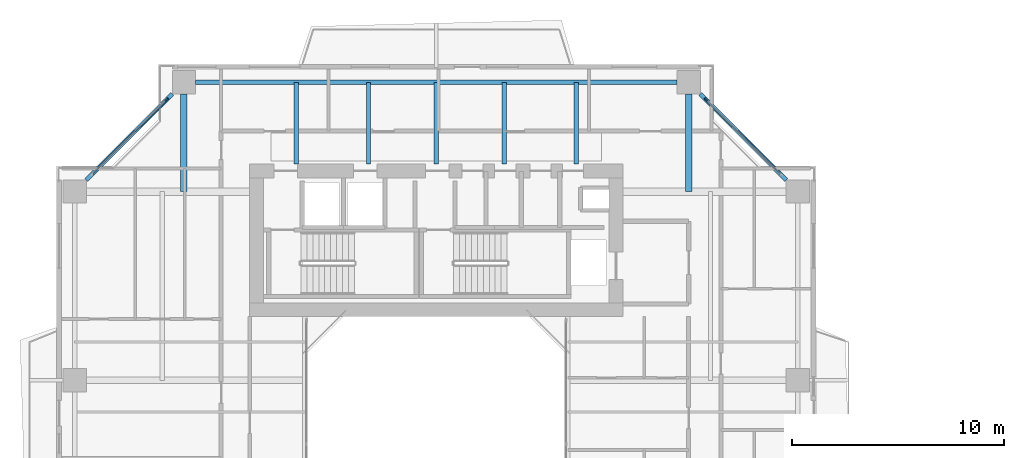
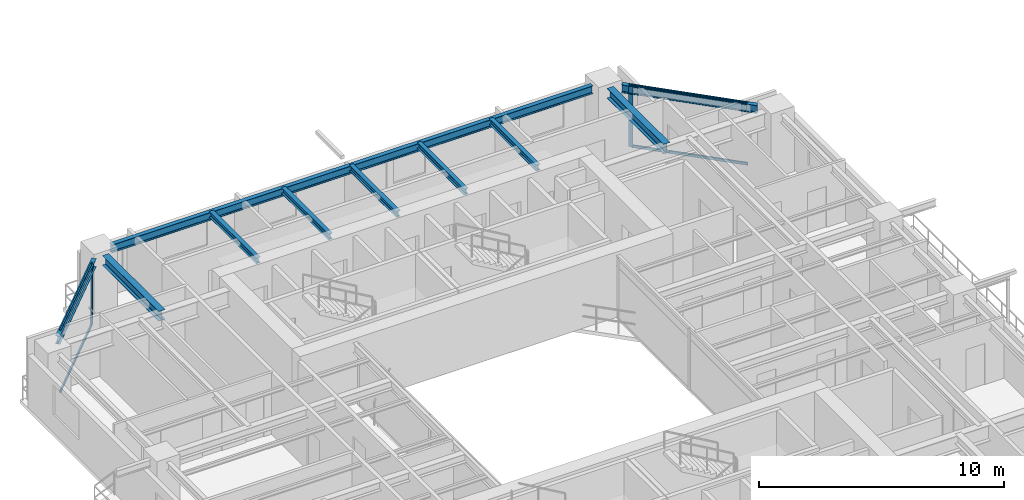
# One storey, part 14 of 28: 10 beams, 6 members, 2 elements without a shape of their own.
"""IFC4 building model written with IfcOpenShell, lengths in metres."""

from ifc_helpers import new_model, si_unit, direction, frame, origin, origin_2d, place, context, subcontext, project, spatial, rectangle, i_section, extrude, source, transform, mapped, material, layer, layer_set, material_profile, profile_set, type_object, element, aggregate, save


model = new_model("IFC4")

# Units and contexts
model_context = context("Model", 3, precision=1e-05, world=origin(), true_north=direction((0.0, 1.0)))
body_context = subcontext(model_context, "Body", "Model", "MODEL_VIEW")
ifc_project = project(units=[si_unit("LENGTHUNIT", "METRE"), si_unit("AREAUNIT", "SQUARE_METRE"), si_unit("VOLUMEUNIT", "CUBIC_METRE"), si_unit("PLANEANGLEUNIT", "RADIAN"), si_unit("MASSUNIT", "GRAM", prefix="KILO"), si_unit("THERMODYNAMICTEMPERATUREUNIT", "KELVIN"), si_unit("POWERUNIT", "WATT")], contexts=[model_context])

# Site, building, storey
site_placement = place(None, origin())
site = spatial("IfcSite", under=ifc_project, at=site_placement, CompositionType="ELEMENT")
building_placement = place(site_placement, origin())
building = spatial("IfcBuilding", under=site, at=building_placement, Name="Qiaomeng Ring Towers", CompositionType="ELEMENT")
storey_placement = place(building_placement, frame((0.0, 0.0, 113.25)))
storey = spatial("IfcBuildingStorey", under=building, at=storey_placement, Name="L32", CompositionType="ELEMENT", Elevation=113.25)

# Beams
ifc_material_1 = material(Name="Steel Q355B", Category="steel")
ifc_material_profile_1 = material_profile(ifc_material_1, i_section(OverallWidth=0.199951171875, OverallDepth=0.39990234375, WebThickness=0.008056640625, FlangeThickness=0.012939453125, FilletRadius=0.01611328125, at=origin_2d()), Name="HN 400x200x8x13")
ifc_profile_set_1 = profile_set([ifc_material_profile_1], Name="Steel Q355B")
beam_type_1 = type_object("IfcBeamType", Name="STR-BM-HN400", PredefinedType="SPANDREL", material=ifc_profile_set_1)
shared_shape_1 = source(origin(), body_context, "Body", "SweptSolid", [
    extrude(i_section(OverallWidth=0.199951171875, OverallDepth=0.39990234375, WebThickness=0.008056640625, FlangeThickness=0.012939453125, FilletRadius=0.01611328125, at=origin_2d()), origin(), (0.0, 0.0, 1.0), 22.7021484375),
])
beam_placement = place(storey_placement, frame((30.35107421875, 40.050048828125, 2.8701171875), z_axis=(-1.0, 0.0, 0.0), x_axis=(0.0, -1.0, 0.0)))
element("IfcBeam", 1, at=beam_placement, inside=storey, type_object=beam_type_1, Name="L32 beam STR-SP-L32-T1-N2-N1", PredefinedType="SPANDREL", context=body_context, shape_type="MappedRepresentation", body=[
    mapped(shared_shape_1, transform((0.0, 0.0, 0.0), x_axis=(1.0, 0.0, 0.0), y_axis=(0.0, 1.0, 0.0), z_axis=(0.0, 0.0, 1.0), scale=1.0)),
])
shared_shape_2 = source(origin(), body_context, "Body", "SweptSolid", [
    extrude(i_section(OverallWidth=0.199951171875, OverallDepth=0.39990234375, WebThickness=0.008056640625, FlangeThickness=0.012939453125, FilletRadius=0.01611328125, at=origin_2d()), origin(), (0.0, 0.0, 1.0), 5.729736328125),
])
for number, where, z_axis, x_axis, name in (
    (2, (35.500732421875, 35.44921875, 2.8701171875), (-0.707106781187, 0.707106781187, 0.0), (-0.707106781187, -0.707106781187, 0.0), "L32 beam STR-SP-L32-T1-E4-N2"),
    (3, (6.55078125, 39.500732421875, 2.8701171875), (-0.707106781187, -0.707106781187, 0.0), (0.707106781187, -0.707106781187, 0.0), "L32 beam STR-SP-L32-T1-N1-W4"),
):
    element("IfcBeam", number, at=place(storey_placement, frame(where, z_axis=z_axis, x_axis=x_axis)), inside=storey, type_object=beam_type_1, Name=name, PredefinedType="SPANDREL", context=body_context, shape_type="MappedRepresentation", body=[
        mapped(shared_shape_2, transform((0.0, 0.0, 0.0), x_axis=(1.0, 0.0, 0.0), y_axis=(0.0, 1.0, 0.0), z_axis=(0.0, 0.0, 1.0), scale=1.0)),
    ])
ifc_material_profile_2 = material_profile(ifc_material_1, i_section(OverallWidth=0.300048828125, OverallDepth=0.488037109375, WebThickness=0.010986328125, FlangeThickness=0.01806640625, FilletRadius=0.02587890625, at=origin_2d()), Name="HM 488x300x11x18")
ifc_profile_set_2 = profile_set([ifc_material_profile_2], Name="Steel Q355B")
beam_type_2 = type_object("IfcBeamType", Name="STR-BM-HM488", PredefinedType="BEAM", material=ifc_profile_set_2)
shared_shape_3 = source(origin(), body_context, "Body", "SweptSolid", [
    extrude(i_section(OverallWidth=0.300048828125, OverallDepth=0.488037109375, WebThickness=0.010986328125, FlangeThickness=0.01806640625, FilletRadius=0.02587890625, at=origin_2d()), origin(), (0.0, 0.0, 1.0), 4.60107421875),
])
for number, where, z_axis, x_axis, name in (
    (4, (7.10009765625, 39.5009765625, 2.825927734375), (0.0, -1.0, 0.0), (1.0, 0.0, 0.0), "L32 beam STR-BM-L32-T1-RAD-N1"),
    (5, (30.89990234375, 39.5009765625, 2.825927734375), (0.0, -1.0, 0.0), (1.0, 0.0, 0.0), "L32 beam STR-BM-L32-T1-RAD-N2"),
):
    element("IfcBeam", number, at=place(storey_placement, frame(where, z_axis=z_axis, x_axis=x_axis)), inside=storey, type_object=beam_type_2, Name=name, PredefinedType="BEAM", context=body_context, shape_type="MappedRepresentation", body=[
        mapped(shared_shape_3, transform((0.0, 0.0, 0.0), x_axis=(1.0, 0.0, 0.0), y_axis=(0.0, 1.0, 0.0), z_axis=(0.0, 0.0, 1.0), scale=1.0)),
    ])
ifc_material_profile_3 = material_profile(ifc_material_1, i_section(OverallWidth=0.199951171875, OverallDepth=0.2939453125, WebThickness=0.008056640625, FlangeThickness=0.011962890625, FilletRadius=0.01806640625, at=origin_2d()), Name="HM 294x200x8x12")
ifc_profile_set_3 = profile_set([ifc_material_profile_3], Name="Steel Q355B")
beam_type_3 = type_object("IfcBeamType", Name="STR-BM-HM294", PredefinedType="JOIST", material=ifc_profile_set_3)
shared_shape_4 = source(origin(), body_context, "Body", "SweptSolid", [
    extrude(i_section(OverallWidth=0.199951171875, OverallDepth=0.2939453125, WebThickness=0.008056640625, FlangeThickness=0.011962890625, FilletRadius=0.01806640625, at=origin_2d()), origin(), (0.0, 0.0, 1.0), 3.85009765625),
])
for number, where, z_axis, x_axis, name in (
    (6, (12.39990234375, 36.199951171875, 2.923095703125), (0.0, 1.0, 0.0), (-1.0, 0.0, 0.0), "L32 beam STR-JST-L32-T1N-1"),
    (7, (15.800048828125, 36.199951171875, 2.923095703125), (0.0, 1.0, 0.0), (-1.0, 0.0, 0.0), "L32 beam STR-JST-L32-T1N-2"),
    (8, (19.0, 36.199951171875, 2.923095703125), (0.0, 1.0, 0.0), (-1.0, 0.0, 0.0), "L32 beam STR-JST-L32-T1N-3"),
    (9, (22.199951171875, 36.199951171875, 2.923095703125), (0.0, 1.0, 0.0), (-1.0, 0.0, 0.0), "L32 beam STR-JST-L32-T1N-4"),
    (10, (25.60009765625, 36.199951171875, 2.923095703125), (0.0, 1.0, 0.0), (-1.0, 0.0, 0.0), "L32 beam STR-JST-L32-T1N-5"),
):
    element("IfcBeam", number, at=place(storey_placement, frame(where, z_axis=z_axis, x_axis=x_axis)), inside=storey, type_object=beam_type_3, Name=name, PredefinedType="JOIST", context=body_context, shape_type="MappedRepresentation", body=[
        mapped(shared_shape_4, transform((0.0, 0.0, 0.0), x_axis=(1.0, 0.0, 0.0), y_axis=(0.0, 1.0, 0.0), z_axis=(0.0, 0.0, 1.0), scale=1.0)),
    ])

# Curtain wall, member
ifc_material_2 = material(Name="Fluorocarbon dark-grey aluminium", Category="aluminium")
ifc_layer = layer(ifc_material_2, 0.14990234375, Name="Fluorocarbon dark-grey aluminium")
ifc_layer_set = layer_set([ifc_layer], Name="Fluorocarbon dark-grey aluminium")
curtain_wall_type = type_object("IfcCurtainWallType", Name="ARC-CW-3", PredefinedType="NOTDEFINED", material=ifc_layer_set)
curtain_wall_1_placement = place(storey_placement, origin())
curtain_wall_1 = element("IfcCurtainWall", 11, at=curtain_wall_1_placement, inside=storey, type_object=curtain_wall_type, Name="L32 Curtain Wall CW3", PredefinedType="NOTDEFINED")
ifc_material_profile_4 = material_profile(ifc_material_2, rectangle(XDim=0.070068359375, YDim=0.179931640625, at=origin_2d()), Name="ALU MULL 70x180")
ifc_profile_set_4 = profile_set([ifc_material_profile_4], Name="Fluorocarbon dark-grey aluminium")
member_type_1 = type_object("IfcMemberType", Name="ARC-CWM-160", PredefinedType="MULLION", material=ifc_profile_set_4)
shared_shape_5 = source(origin(), body_context, "Body", "SweptSolid", [
    extrude(rectangle(XDim=0.070068359375, YDim=0.179931640625, at=origin_2d()), origin(), (0.0, 0.0, 1.0), 3.070068359375),
])
member_1_placement = place(storey_placement, frame((31.71484375, 39.2353515625, 0.0), z_axis=(0.0, 0.0, 1.0), x_axis=(-0.707106781187, -0.707106781187, 0.0)))
member_1 = element("IfcMember", 12, at=member_1_placement, type_object=member_type_1, Name="CW3 mullion 2", PredefinedType="MULLION", context=body_context, shape_type="MappedRepresentation", body=[
    mapped(shared_shape_5, transform((0.0, 0.0, 0.0), x_axis=(1.0, 0.0, 0.0), y_axis=(0.0, 1.0, 0.0), z_axis=(0.0, 0.0, 1.0), scale=1.0)),
])

curtain_wall_2_placement = place(storey_placement, origin())
curtain_wall_2 = element("IfcCurtainWall", 13, at=curtain_wall_2_placement, inside=storey, type_object=curtain_wall_type, Name="L32 Curtain Wall CW3", PredefinedType="NOTDEFINED")
member_2_placement = place(storey_placement, frame((6.28515625, 39.2353515625, 0.0), z_axis=(0.0, 0.0, 1.0), x_axis=(0.707106781187, -0.707106781187, 0.0)))
member_2 = element("IfcMember", 14, at=member_2_placement, type_object=member_type_1, Name="CW3 mullion 1", PredefinedType="MULLION", context=body_context, shape_type="MappedRepresentation", body=[
    mapped(shared_shape_5, transform((0.0, 0.0, 0.0), x_axis=(1.0, 0.0, 0.0), y_axis=(0.0, 1.0, 0.0), z_axis=(0.0, 0.0, 1.0), scale=1.0)),
])

# Member
ifc_material_profile_5 = material_profile(ifc_material_2, rectangle(XDim=0.06494140625, YDim=0.1298828125, at=origin_2d()), Name="ALU TRAN 65x130")
ifc_profile_set_5 = profile_set([ifc_material_profile_5], Name="Fluorocarbon dark-grey aluminium")
member_type_2 = type_object("IfcMemberType", Name="ARC-CWT-120", PredefinedType="USERDEFINED", material=ifc_profile_set_5)
shared_shape_6 = source(origin(), body_context, "Body", "SweptSolid", [
    extrude(rectangle(XDim=0.06494140625, YDim=0.1298828125, at=origin_2d()), origin(), (0.0, 0.0, 1.0), 4.90869140625),
])
member_3_placement = place(storey_placement, frame((35.21044921875, 35.739501953125, 0.032470703125), z_axis=(-0.707106781187, 0.707106781187, 0.0), x_axis=(-0.707106781187, -0.707106781187, 0.0)))
member_3 = element("IfcMember", 15, at=member_3_placement, type_object=member_type_2, Name="CW3 transom 1.1", ObjectType="TRANSOM", PredefinedType="USERDEFINED", context=body_context, shape_type="MappedRepresentation", body=[
    mapped(shared_shape_6, transform((0.0, 0.0, 0.0), x_axis=(1.0, 0.0, 0.0), y_axis=(0.0, 1.0, 0.0), z_axis=(0.0, 0.0, 1.0), scale=1.0)),
])

member_4_placement = place(storey_placement, frame((35.21044921875, 35.739501953125, 3.03759765625), z_axis=(-0.707106781187, 0.707106781187, 0.0), x_axis=(-0.707106781187, -0.707106781187, 0.0)))
member_4 = element("IfcMember", 16, at=member_4_placement, type_object=member_type_2, Name="CW3 transom 1.2", ObjectType="TRANSOM", PredefinedType="USERDEFINED", context=body_context, shape_type="MappedRepresentation", body=[
    mapped(shared_shape_6, transform((0.0, 0.0, 0.0), x_axis=(1.0, 0.0, 0.0), y_axis=(0.0, 1.0, 0.0), z_axis=(0.0, 0.0, 1.0), scale=1.0)),
])

aggregate(curtain_wall_1, [member_1, member_3, member_4])

member_5_placement = place(storey_placement, frame((6.260498046875, 39.21044921875, 0.032470703125), z_axis=(-0.707106781187, -0.707106781187, 0.0), x_axis=(0.707106781187, -0.707106781187, 0.0)))
member_5 = element("IfcMember", 17, at=member_5_placement, type_object=member_type_2, Name="CW3 transom 1.1", ObjectType="TRANSOM", PredefinedType="USERDEFINED", context=body_context, shape_type="MappedRepresentation", body=[
    mapped(shared_shape_6, transform((0.0, 0.0, 0.0), x_axis=(1.0, 0.0, 0.0), y_axis=(0.0, 1.0, 0.0), z_axis=(0.0, 0.0, 1.0), scale=1.0)),
])

member_6_placement = place(storey_placement, frame((6.260498046875, 39.21044921875, 3.03759765625), z_axis=(-0.707106781187, -0.707106781187, 0.0), x_axis=(0.707106781187, -0.707106781187, 0.0)))
member_6 = element("IfcMember", 18, at=member_6_placement, type_object=member_type_2, Name="CW3 transom 1.2", ObjectType="TRANSOM", PredefinedType="USERDEFINED", context=body_context, shape_type="MappedRepresentation", body=[
    mapped(shared_shape_6, transform((0.0, 0.0, 0.0), x_axis=(1.0, 0.0, 0.0), y_axis=(0.0, 1.0, 0.0), z_axis=(0.0, 0.0, 1.0), scale=1.0)),
])

aggregate(curtain_wall_2, [member_2, member_5, member_6])

save(model, "model.ifc")
